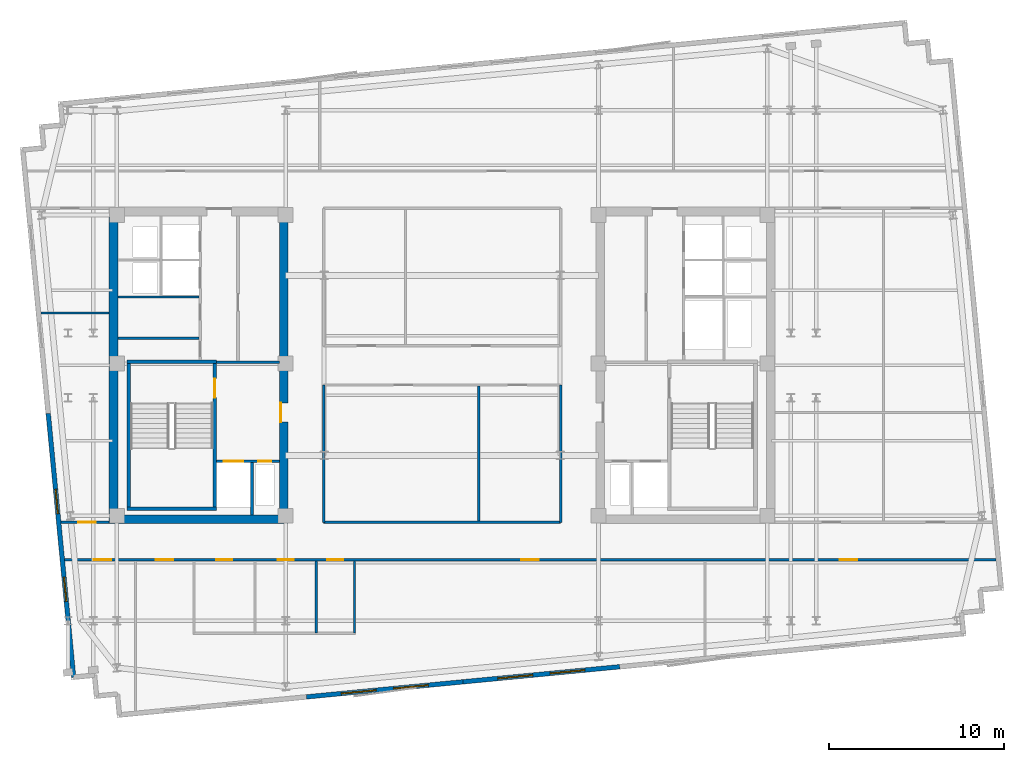
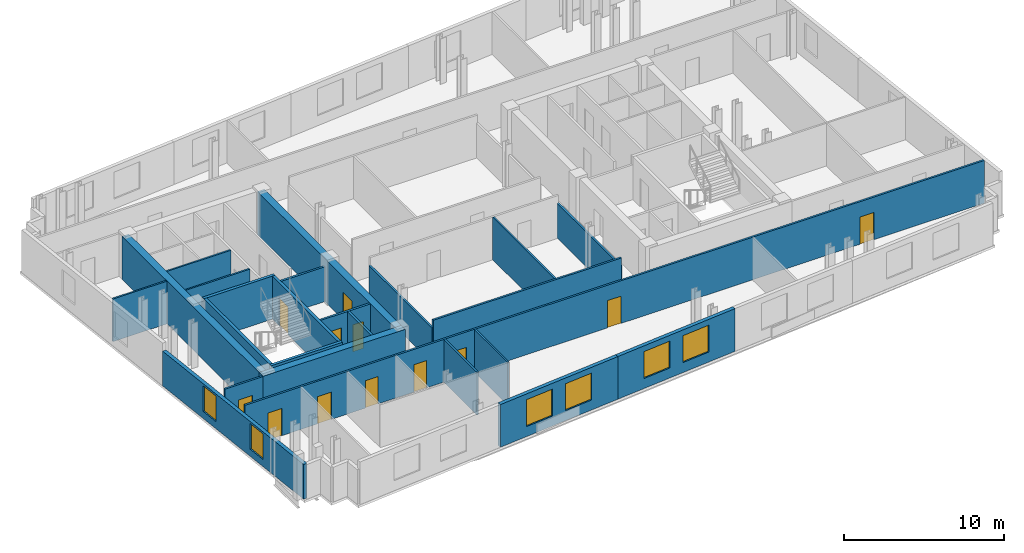
# One storey, part 3 of 8: 24 walls, 12 doors, 6 windows, 18 openings.
"""IFC4 building model written with IfcOpenShell, lengths in metres."""

from ifc_helpers import new_model, si_unit, direction, frame, frame_2d, origin, place, context, subcontext, project, spatial, rectangle, extrude, material, layer, layer_set, type_object, element, fill, save


model = new_model("IFC4")

# Units and contexts
model_context = context("Model", 3, precision=1e-05, world=origin(), true_north=direction((0.0, 1.0)))
body_context = subcontext(model_context, "Body", "Model", "MODEL_VIEW")
ifc_project = project(units=[si_unit("LENGTHUNIT", "METRE"), si_unit("AREAUNIT", "SQUARE_METRE"), si_unit("VOLUMEUNIT", "CUBIC_METRE"), si_unit("PLANEANGLEUNIT", "RADIAN"), si_unit("MASSUNIT", "GRAM", prefix="KILO")], contexts=[model_context])

# Site, building, storey
site_placement = place(None, origin())
site = spatial("IfcSite", under=ifc_project, at=site_placement, CompositionType="ELEMENT")
building_placement = place(site_placement, origin())
building = spatial("IfcBuilding", under=site, at=building_placement, Name="Velakula Bourse", CompositionType="ELEMENT")
storey_placement = place(building_placement, frame((0.0, 0.0, 258.60009765625)))
storey = spatial("IfcBuildingStorey", under=building, at=storey_placement, Name="L70", CompositionType="ELEMENT", Elevation=258.60009765625)

# Wall, opening, door
ifc_material_1 = material(Name="Concrete M50 (fck 50 MPa)", Category="concrete")
ifc_layer_1 = layer(ifc_material_1, 0.2099609375, Name="Concrete M50 (fck 50 MPa)", Category="concrete")
ifc_layer_set_1 = layer_set([ifc_layer_1], Name="Concrete M50 (fck 50 MPa)")
wall_type_1 = type_object("IfcWallType", Name="WL-CORE-210", PredefinedType="SHEAR", material=ifc_layer_set_1)
wall_1_placement = place(storey_placement, frame((-12.9951171875, -8.10009765625, 0.0), z_axis=(0.0, 0.0, 1.0), x_axis=(0.0, 1.0, 0.0)))
wall_1 = element("IfcWall", 1, at=wall_1_placement, inside=storey, type_object=wall_type_1, Name="L70 Core W Stairwell Shear Wall IN", PredefinedType="SHEAR", context=body_context, shape_type="SweptSolid", body=[
    extrude(rectangle(XDim=8.2001953125, YDim=0.2099609375, at=frame_2d((4.10009765625, 0.0))), origin(), (0.0, 0.0, 1.0), 3.27001953125),
])
opening_1_placement = place(wall_1_placement, frame((6.25, 0.0, 0.0)))
opening_1 = element("IfcOpeningElement", 2, at=opening_1_placement, cuts=wall_1, Name="Opening D-STW1", PredefinedType="OPENING", context=body_context, shape_type="SweptSolid", body=[
    extrude(rectangle(XDim=1.10009765625, YDim=2.14990234375, at=frame_2d((0.550048828125, 1.074951171875))), frame((0.0, 0.114990234375, 0.0), z_axis=(0.0, -1.0, 0.0), x_axis=(1.0, 0.0, 0.0)), (0.0, 0.0, 1.0), 0.22998046875),
])
ifc_material_2 = material(Name="Galvanised painted hollow steel fire door", Category="steel")
door_type_1 = type_object("IfcDoorType", Name="DR-FD120-1100x2150", OperationType="NOTDEFINED", PredefinedType="DOOR", material=ifc_material_2)
door_1_placement = place(opening_1_placement, origin())
door_1 = element("IfcDoor", 3, at=door_1_placement, inside=storey, type_object=door_type_1, Name="L70 Stair ST-W1 Fire Door", OperationType="SINGLE_SWING_LEFT", OverallHeight=2.14990234375, OverallWidth=1.10009765625, PredefinedType="DOOR", context=body_context, shape_type="SweptSolid", body=[
    extrude(rectangle(XDim=1.10009765625, YDim=2.14990234375, at=frame_2d((0.550048828125, 1.074951171875))), frame((0.0, 0.02490234375, 0.0), z_axis=(0.0, -1.0, 0.0), x_axis=(1.0, 0.0, 0.0)), (0.0, 0.0, 1.0), 0.050048828125),
])
fill(opening_1, door_1)

# Walls
wall_2_placement = place(storey_placement, frame((-17.925048828125, -8.10009765625, 0.0), z_axis=(0.0, 0.0, 1.0), x_axis=(0.0, 1.0, 0.0)))
element("IfcWall", 4, at=wall_2_placement, inside=storey, type_object=wall_type_1, Name="L70 Core W Stairwell Shear Wall OUT", PredefinedType="SHEAR", context=body_context, shape_type="SweptSolid", body=[
    extrude(rectangle(XDim=8.2001953125, YDim=0.2099609375, at=frame_2d((4.10009765625, 0.0))), origin(), (0.0, 0.0, 1.0), 3.27001953125),
])
for number, where, z_axis, x_axis, name in (
    (5, (-18.030029296875, -8.205078125, 0.0), (0.0, 0.0, 1.0), (1.0, 0.0, 0.0), "L70 Core W Stairwell Shear Wall S"),
    (6, (-12.889892578125, 0.205078125, 0.0), (0.0, 0.0, 1.0), (-1.0, 0.0, 0.0), "L70 Core W Stairwell Shear Wall N"),
):
    element("IfcWall", number, at=place(storey_placement, frame(where, z_axis=z_axis, x_axis=x_axis)), inside=storey, type_object=wall_type_1, Name=name, PredefinedType="SHEAR", context=body_context, shape_type="SweptSolid", body=[
        extrude(rectangle(XDim=5.14013671875, YDim=0.2099609375, at=frame_2d((2.570068359375, 0.0))), origin(), (0.0, 0.0, 1.0), 3.27001953125),
    ])
ifc_layer_2 = layer(ifc_material_1, 0.5, Name="Concrete M50 (fck 50 MPa)", Category="concrete")
ifc_layer_set_2 = layer_set([ifc_layer_2], Name="Concrete M50 (fck 50 MPa)")
wall_type_2 = type_object("IfcWallType", Name="WL-CORE-500", PredefinedType="SHEAR", material=ifc_layer_set_2)
wall_3_placement = place(storey_placement, frame((-19.050048828125, -8.800048828125, 0.0), z_axis=(0.0, 0.0, 1.0), x_axis=(1.0, 0.0, 0.0)))
element("IfcWall", 7, at=wall_3_placement, inside=storey, type_object=wall_type_2, Name="L70 Core W Shear Wall S", PredefinedType="SHEAR", context=body_context, shape_type="SweptSolid", body=[
    extrude(rectangle(XDim=10.25, YDim=0.5, at=frame_2d((5.125, 0.0))), origin(), (0.0, 0.0, 1.0), 3.27001953125),
])
wall_4_placement = place(storey_placement, frame((-18.800048828125, -8.550048828125, 0.0), z_axis=(0.0, 0.0, 1.0), x_axis=(0.0, 1.0, 0.0)))
element("IfcWall", 8, at=wall_4_placement, inside=storey, type_object=wall_type_2, Name="L70 Core W Shear Wall W", PredefinedType="SHEAR", context=body_context, shape_type="SweptSolid", body=[
    extrude(rectangle(XDim=17.10009765625, YDim=0.5, at=frame_2d((8.550048828125, 0.0))), origin(), (0.0, 0.0, 1.0), 3.27001953125),
])

# Wall, opening, door
wall_5_placement = place(storey_placement, frame((-9.050048828125, -8.550048828125, 0.0), z_axis=(0.0, 0.0, 1.0), x_axis=(0.0, 1.0, 0.0)))
wall_5 = element("IfcWall", 9, at=wall_5_placement, inside=storey, type_object=wall_type_2, Name="L70 Core W Shear Wall E", PredefinedType="SHEAR", context=body_context, shape_type="SweptSolid", body=[
    extrude(rectangle(XDim=17.10009765625, YDim=0.5, at=frame_2d((8.550048828125, 0.0))), origin(), (0.0, 0.0, 1.0), 3.27001953125),
])
opening_2_placement = place(wall_5_placement, frame((5.300048828125, 0.0, 0.0)))
opening_2 = element("IfcOpeningElement", 10, at=opening_2_placement, cuts=wall_5, Name="Opening D-FLW", PredefinedType="OPENING", context=body_context, shape_type="SweptSolid", body=[
    extrude(rectangle(XDim=1.10009765625, YDim=2.080078125, at=frame_2d((0.550048828125, 1.0400390625))), frame((0.0, 0.260009765625, 0.0), z_axis=(0.0, -1.0, 0.0), x_axis=(1.0, 0.0, 0.0)), (0.0, 0.0, 1.0), 0.52001953125),
])
door_type_2 = type_object("IfcDoorType", Name="DR-FD120-1100", OperationType="NOTDEFINED", PredefinedType="DOOR", material=ifc_material_2)
door_2_placement = place(opening_2_placement, origin())
door_2 = element("IfcDoor", 11, at=door_2_placement, inside=storey, type_object=door_type_2, Name="L70 Firefighting Lobby W Corridor Fire Door", OperationType="SINGLE_SWING_LEFT", OverallHeight=2.080078125, OverallWidth=1.10009765625, PredefinedType="DOOR", context=body_context, shape_type="SweptSolid", body=[
    extrude(rectangle(XDim=1.10009765625, YDim=2.080078125, at=frame_2d((0.550048828125, 1.0400390625))), frame((0.0, 0.205078125, 0.0), z_axis=(0.0, -1.0, 0.0), x_axis=(1.0, 0.0, 0.0)), (0.0, 0.0, 1.0), 0.050048828125),
])
fill(opening_2, door_2)

# Wall, openings, windows
ifc_material_3 = material(Name="Buff kilned clay facing brick masonry", Category="masonry")
ifc_layer_3 = layer(ifc_material_3, 0.260009765625, Name="Buff kilned clay facing brick masonry", Category="masonry")
ifc_layer_set_3 = layer_set([ifc_layer_3], Name="Buff kilned clay facing brick masonry")
wall_type_3 = type_object("IfcWallType", Name="WL-EXT-BRK-260", PredefinedType="STANDARD", material=ifc_layer_set_3)
wall_6_placement = place(storey_placement, frame((1.202880859375, -18.1005859375, 0.0), z_axis=(0.0, 0.0, 1.0), x_axis=(-0.995397043619, -0.095836973841, 0.0)))
wall_6 = element("IfcWall", 12, at=wall_6_placement, inside=storey, type_object=wall_type_3, Name="L70 S Brick Spandrel Wall B2", PredefinedType="STANDARD", context=body_context, shape_type="SweptSolid", body=[
    extrude(rectangle(XDim=9.000244140625, YDim=0.260009765625, at=frame_2d((4.5, 0.0))), origin(), (0.0, 0.0, 1.0), 3.25),
])
opening_3_placement = place(wall_6_placement, frame((2.0, 0.0, 0.760009765625)))
opening_3 = element("IfcOpeningElement", 13, at=opening_3_placement, cuts=wall_6, Name="Opening W-05", PredefinedType="OPENING", context=body_context, shape_type="SweptSolid", body=[
    extrude(rectangle(XDim=2.0, YDim=2.050048828125, at=frame_2d((1.0, 1.02490234375))), frame((0.0, 0.139892578125, 0.0), z_axis=(0.0, -1.0, 0.0), x_axis=(1.0, 0.0, 0.0)), (0.0, 0.0, 1.0), 0.280029296875),
])
opening_4_placement = place(wall_6_placement, frame((5.0, 0.0, 0.760009765625)))
opening_4 = element("IfcOpeningElement", 14, at=opening_4_placement, cuts=wall_6, Name="Opening W-05", PredefinedType="OPENING", context=body_context, shape_type="SweptSolid", body=[
    extrude(rectangle(XDim=2.0, YDim=2.050048828125, at=frame_2d((1.0, 1.02490234375))), frame((0.0, 0.139892578125, 0.0), z_axis=(0.0, -1.0, 0.0), x_axis=(1.0, 0.0, 0.0)), (0.0, 0.0, 1.0), 0.280029296875),
])
ifc_material_4 = material(Name="Double-glazed solar-control Low-E glass", Category="glass")
window_type_1 = type_object("IfcWindowType", Name="WIN-TWR-2000x2200", PartitioningType="DOUBLE_PANEL_VERTICAL", PredefinedType="WINDOW", material=ifc_material_4)
window_1_placement = place(opening_3_placement, origin())
window_1 = element("IfcWindow", 15, at=window_1_placement, inside=storey, type_object=window_type_1, Name="L70 Deep-Set Recessed Window 1", OverallHeight=2.050048828125, OverallWidth=2.0, PartitioningType="DOUBLE_PANEL_VERTICAL", PredefinedType="WINDOW", context=body_context, shape_type="SweptSolid", body=[
    extrude(rectangle(XDim=2.0, YDim=2.050048828125, at=frame_2d((1.0, 1.02490234375))), frame((0.0, 0.030029296875, 0.0), z_axis=(0.0, -1.0, 0.0), x_axis=(1.0, 0.0, 0.0)), (0.0, 0.0, 1.0), 0.06005859375),
])
fill(opening_3, window_1)
window_2_placement = place(opening_4_placement, origin())
window_2 = element("IfcWindow", 16, at=window_2_placement, inside=storey, type_object=window_type_1, Name="L70 Deep-Set Recessed Window 2", OverallHeight=2.050048828125, OverallWidth=2.0, PartitioningType="DOUBLE_PANEL_VERTICAL", PredefinedType="WINDOW", context=body_context, shape_type="SweptSolid", body=[
    extrude(rectangle(XDim=2.0, YDim=2.050048828125, at=frame_2d((1.0, 1.02490234375))), frame((0.0, 0.030029296875, 0.0), z_axis=(0.0, -1.0, 0.0), x_axis=(1.0, 0.0, 0.0)), (0.0, 0.0, 1.0), 0.06005859375),
])
fill(opening_4, window_2)

wall_7_placement = place(storey_placement, frame((10.161376953125, -17.23779296875, 0.0), z_axis=(0.0, 0.0, 1.0), x_axis=(-0.995394206237, -0.095866439332, 0.0)))
wall_7 = element("IfcWall", 17, at=wall_7_placement, inside=storey, type_object=wall_type_3, Name="L70 S Brick Spandrel Wall B3", PredefinedType="STANDARD", context=body_context, shape_type="SweptSolid", body=[
    extrude(rectangle(XDim=9.0, YDim=0.260009765625, at=frame_2d((4.5, 0.0))), origin(), (0.0, 0.0, 1.0), 3.25),
])
opening_5_placement = place(wall_7_placement, frame((2.0, 0.0, 0.760009765625)))
opening_5 = element("IfcOpeningElement", 18, at=opening_5_placement, cuts=wall_7, Name="Opening W-05", PredefinedType="OPENING", context=body_context, shape_type="SweptSolid", body=[
    extrude(rectangle(XDim=2.0, YDim=2.050048828125, at=frame_2d((1.0, 1.02490234375))), frame((0.0, 0.139892578125, 0.0), z_axis=(0.0, -1.0, 0.0), x_axis=(1.0, 0.0, 0.0)), (0.0, 0.0, 1.0), 0.280029296875),
])
opening_6_placement = place(wall_7_placement, frame((5.0, 0.0, 0.760009765625)))
opening_6 = element("IfcOpeningElement", 19, at=opening_6_placement, cuts=wall_7, Name="Opening W-05", PredefinedType="OPENING", context=body_context, shape_type="SweptSolid", body=[
    extrude(rectangle(XDim=2.0, YDim=2.050048828125, at=frame_2d((1.0, 1.02490234375))), frame((0.0, 0.139892578125, 0.0), z_axis=(0.0, -1.0, 0.0), x_axis=(1.0, 0.0, 0.0)), (0.0, 0.0, 1.0), 0.280029296875),
])
window_3_placement = place(opening_5_placement, origin())
window_3 = element("IfcWindow", 20, at=window_3_placement, inside=storey, type_object=window_type_1, Name="L70 Deep-Set Recessed Window 1", OverallHeight=2.050048828125, OverallWidth=2.0, PartitioningType="DOUBLE_PANEL_VERTICAL", PredefinedType="WINDOW", context=body_context, shape_type="SweptSolid", body=[
    extrude(rectangle(XDim=2.0, YDim=2.050048828125, at=frame_2d((1.0, 1.02490234375))), frame((0.0, 0.030029296875, 0.0), z_axis=(0.0, -1.0, 0.0), x_axis=(1.0, 0.0, 0.0)), (0.0, 0.0, 1.0), 0.06005859375),
])
fill(opening_5, window_3)
window_4_placement = place(opening_6_placement, origin())
window_4 = element("IfcWindow", 21, at=window_4_placement, inside=storey, type_object=window_type_1, Name="L70 Deep-Set Recessed Window 2", OverallHeight=2.050048828125, OverallWidth=2.0, PartitioningType="DOUBLE_PANEL_VERTICAL", PredefinedType="WINDOW", context=body_context, shape_type="SweptSolid", body=[
    extrude(rectangle(XDim=2.0, YDim=2.050048828125, at=frame_2d((1.0, 1.02490234375))), frame((0.0, 0.030029296875, 0.0), z_axis=(0.0, -1.0, 0.0), x_axis=(1.0, 0.0, 0.0)), (0.0, 0.0, 1.0), 0.06005859375),
])
fill(opening_6, window_4)

wall_8_placement = place(storey_placement, frame((-21.0751953125, -17.83447265625, 0.0), z_axis=(0.0, 0.0, 1.0), x_axis=(-0.095852427869, 0.995395555582, 0.0)))
wall_8 = element("IfcWall", 22, at=wall_8_placement, inside=storey, type_object=wall_type_3, Name="L70 W Brick End Wall W1", PredefinedType="STANDARD", context=body_context, shape_type="SweptSolid", body=[
    extrude(rectangle(XDim=15.14990234375, YDim=0.260009765625, at=frame_2d((7.574951171875, 0.0))), origin(), (0.0, 0.0, 1.0), 2.64501953125),
])
opening_7_placement = place(wall_8_placement, frame((4.35009765625, 0.0, 0.534912109375)))
opening_7 = element("IfcOpeningElement", 23, at=opening_7_placement, cuts=wall_8, Name="Opening W-03", PredefinedType="OPENING", context=body_context, shape_type="SweptSolid", body=[
    extrude(rectangle(XDim=1.39990234375, YDim=1.949951171875, at=frame_2d((0.699951171875, 0.97509765625))), frame((0.0, 0.139892578125, 0.0), z_axis=(0.0, -1.0, 0.0), x_axis=(1.0, 0.0, 0.0)), (0.0, 0.0, 1.0), 0.280029296875),
])
opening_8_placement = place(wall_8_placement, frame((9.39990234375, 0.0, 0.534912109375)))
opening_8 = element("IfcOpeningElement", 24, at=opening_8_placement, cuts=wall_8, Name="Opening W-03", PredefinedType="OPENING", context=body_context, shape_type="SweptSolid", body=[
    extrude(rectangle(XDim=1.39990234375, YDim=1.949951171875, at=frame_2d((0.699951171875, 0.97509765625))), frame((0.0, 0.139892578125, 0.0), z_axis=(0.0, -1.0, 0.0), x_axis=(1.0, 0.0, 0.0)), (0.0, 0.0, 1.0), 0.280029296875),
])
window_type_2 = type_object("IfcWindowType", Name="WIN-TWR-1400x2100", PartitioningType="SINGLE_PANEL", PredefinedType="WINDOW", material=ifc_material_4)
window_5_placement = place(opening_7_placement, origin())
window_5 = element("IfcWindow", 25, at=window_5_placement, inside=storey, type_object=window_type_2, Name="L70 Deep-Set Recessed Window 1", OverallHeight=1.949951171875, OverallWidth=1.39990234375, PartitioningType="SINGLE_PANEL", PredefinedType="WINDOW", context=body_context, shape_type="SweptSolid", body=[
    extrude(rectangle(XDim=1.39990234375, YDim=1.949951171875, at=frame_2d((0.699951171875, 0.97509765625))), frame((0.0, 0.030029296875, 0.0), z_axis=(0.0, -1.0, 0.0), x_axis=(1.0, 0.0, 0.0)), (0.0, 0.0, 1.0), 0.06005859375),
])
fill(opening_7, window_5)
window_6_placement = place(opening_8_placement, origin())
window_6 = element("IfcWindow", 26, at=window_6_placement, inside=storey, type_object=window_type_2, Name="L70 Deep-Set Recessed Window 2", OverallHeight=1.949951171875, OverallWidth=1.39990234375, PartitioningType="SINGLE_PANEL", PredefinedType="WINDOW", context=body_context, shape_type="SweptSolid", body=[
    extrude(rectangle(XDim=1.39990234375, YDim=1.949951171875, at=frame_2d((0.699951171875, 0.97509765625))), frame((0.0, 0.030029296875, 0.0), z_axis=(0.0, -1.0, 0.0), x_axis=(1.0, 0.0, 0.0)), (0.0, 0.0, 1.0), 0.06005859375),
])
fill(opening_8, window_6)

# Walls
ifc_material_5 = material(Name="Fire-rated double-layer gypsum drywall partition", Category="gypsum")
ifc_layer_4 = layer(ifc_material_5, 0.1201171875, Name="Fire-rated double-layer gypsum drywall partition", Category="gypsum")
ifc_layer_set_4 = layer_set([ifc_layer_4], Name="Fire-rated double-layer gypsum drywall partition")
wall_type_4 = type_object("IfcWallType", Name="WL-PART-120", PredefinedType="STANDARD", material=ifc_layer_set_4)
for number, where, z_axis, x_axis, name in (
    (27, (-18.550048828125, 3.919921875, 0.0), (0.0, 0.0, 1.0), (1.0, 0.0, 0.0), "L70 Interior Partition WL-CRW-L70-HI-S"),
    (28, (-18.550048828125, 1.550048828125, 0.0), (0.0, 0.0, 1.0), (1.0, 0.0, 0.0), "L70 Interior Partition WL-CRW-L70-K1"),
):
    element("IfcWall", number, at=place(storey_placement, frame(where, z_axis=z_axis, x_axis=x_axis)), inside=storey, type_object=wall_type_4, Name=name, PredefinedType="STANDARD", context=body_context, shape_type="SweptSolid", body=[
        extrude(rectangle(XDim=4.650146484375, YDim=0.1201171875, at=frame_2d((2.3251953125, 0.0))), origin(), (0.0, 0.0, 1.0), 3.25),
    ])
for number, where, z_axis, x_axis, name in (
    (29, (-7.199951171875, -15.320068359375, 0.0), (0.0, 0.0, 1.0), (0.0, 1.0, 0.0), "L70 Interior Partition WL-WC-L70-V3"),
    (30, (-5.0, -15.320068359375, 0.0), (0.0, 0.0, 1.0), (0.0, 1.0, 0.0), "L70 Interior Partition WL-WC-L70-V4"),
):
    element("IfcWall", number, at=place(storey_placement, frame(where, z_axis=z_axis, x_axis=x_axis)), inside=storey, type_object=wall_type_4, Name=name, PredefinedType="STANDARD", context=body_context, shape_type="SweptSolid", body=[
        extrude(rectangle(XDim=4.130126953125, YDim=0.1201171875, at=frame_2d((2.06494140625, 0.0))), origin(), (0.0, 0.0, 1.0), 3.25),
    ])
wall_9_placement = place(storey_placement, frame((-22.95068359375, 3.0, 0.0), z_axis=(0.0, 0.0, 1.0), x_axis=(1.0, 0.0, 0.0)))
element("IfcWall", 31, at=wall_9_placement, inside=storey, type_object=wall_type_4, Name="L70 Interior Partition WL-INT-L70-W-H", PredefinedType="STANDARD", context=body_context, shape_type="SweptSolid", body=[
    extrude(rectangle(XDim=3.900634765625, YDim=0.1201171875, at=frame_2d((1.9501953125, 0.0))), origin(), (0.0, 0.0, 1.0), 3.25),
])

# Wall, openings, doors
ifc_layer_5 = layer(ifc_material_5, 0.139892578125, Name="Fire-rated double-layer gypsum drywall partition", Category="gypsum")
ifc_layer_set_5 = layer_set([ifc_layer_5], Name="Fire-rated double-layer gypsum drywall partition")
wall_type_5 = type_object("IfcWallType", Name="WL-PART-140", PredefinedType="STANDARD", material=ifc_layer_set_5)
wall_10_placement = place(storey_placement, frame((-21.59130859375, -11.1201171875, 0.0), z_axis=(0.0, 0.0, 1.0), x_axis=(1.0, 0.0, 0.0)))
wall_10 = element("IfcWall", 32, at=wall_10_placement, inside=storey, type_object=wall_type_5, Name="L70 Interior Partition WL-INT-L70-S-CORR", PredefinedType="STANDARD", context=body_context, shape_type="SweptSolid", body=[
    extrude(rectangle(XDim=53.285400390625, YDim=0.139892578125, at=frame_2d((26.642578125, 0.0))), origin(), (0.0, 0.0, 1.0), 3.25),
])
opening_9_placement = place(wall_10_placement, frame((8.68115234375, 0.0, 0.0)))
opening_9 = element("IfcOpeningElement", 33, at=opening_9_placement, cuts=wall_10, Name="Opening D-WT1", PredefinedType="OPENING", context=body_context, shape_type="SweptSolid", body=[
    extrude(rectangle(XDim=0.919921875, YDim=2.080078125, at=frame_2d((0.4599609375, 1.0400390625))), frame((0.0, 0.079833984375, 0.0), z_axis=(0.0, -1.0, 0.0), x_axis=(1.0, 0.0, 0.0)), (0.0, 0.0, 1.0), 0.159912109375),
])
opening_10_placement = place(wall_10_placement, frame((12.18115234375, 0.0, 0.0)))
opening_10 = element("IfcOpeningElement", 34, at=opening_10_placement, cuts=wall_10, Name="Opening D-WT1", PredefinedType="OPENING", context=body_context, shape_type="SweptSolid", body=[
    extrude(rectangle(XDim=0.919921875, YDim=2.080078125, at=frame_2d((0.4599609375, 1.0400390625))), frame((0.0, 0.079833984375, 0.0), z_axis=(0.0, -1.0, 0.0), x_axis=(1.0, 0.0, 0.0)), (0.0, 0.0, 1.0), 0.159912109375),
])
opening_11_placement = place(wall_10_placement, frame((15.03125, 0.0, 0.0)))
opening_11 = element("IfcOpeningElement", 35, at=opening_11_placement, cuts=wall_10, Name="Opening D-WC1", PredefinedType="OPENING", context=body_context, shape_type="SweptSolid", body=[
    extrude(rectangle(XDim=0.919921875, YDim=2.080078125, at=frame_2d((0.4599609375, 1.0400390625))), frame((0.0, 0.079833984375, 0.0), z_axis=(0.0, -1.0, 0.0), x_axis=(1.0, 0.0, 0.0)), (0.0, 0.0, 1.0), 0.159912109375),
])
opening_12_placement = place(wall_10_placement, frame((1.655517578125, 0.0, 0.0)))
opening_12 = element("IfcOpeningElement", 36, at=opening_12_placement, cuts=wall_10, Name="Opening D-OF1", PredefinedType="OPENING", context=body_context, shape_type="SweptSolid", body=[
    extrude(rectangle(XDim=1.0, YDim=2.080078125, at=frame_2d((0.5, 1.0400390625))), frame((0.0, 0.079833984375, 0.0), z_axis=(0.0, -1.0, 0.0), x_axis=(1.0, 0.0, 0.0)), (0.0, 0.0, 1.0), 0.159912109375),
])
opening_13_placement = place(wall_10_placement, frame((5.22509765625, 0.0, 0.0)))
opening_13 = element("IfcOpeningElement", 37, at=opening_13_placement, cuts=wall_10, Name="Opening D-OF1", PredefinedType="OPENING", context=body_context, shape_type="SweptSolid", body=[
    extrude(rectangle(XDim=1.0, YDim=2.080078125, at=frame_2d((0.5, 1.0400390625))), frame((0.0, 0.079833984375, 0.0), z_axis=(0.0, -1.0, 0.0), x_axis=(1.0, 0.0, 0.0)), (0.0, 0.0, 1.0), 0.159912109375),
])
opening_14_placement = place(wall_10_placement, frame((26.11181640625, 0.0, 0.0)))
opening_14 = element("IfcOpeningElement", 38, at=opening_14_placement, cuts=wall_10, Name="Opening D-OF1", PredefinedType="OPENING", context=body_context, shape_type="SweptSolid", body=[
    extrude(rectangle(XDim=1.0, YDim=2.080078125, at=frame_2d((0.5, 1.0400390625))), frame((0.0, 0.079833984375, 0.0), z_axis=(0.0, -1.0, 0.0), x_axis=(1.0, 0.0, 0.0)), (0.0, 0.0, 1.0), 0.159912109375),
])
opening_15_placement = place(wall_10_placement, frame((44.332763671875, 0.0, 0.0)))
opening_15 = element("IfcOpeningElement", 39, at=opening_15_placement, cuts=wall_10, Name="Opening D-OF1", PredefinedType="OPENING", context=body_context, shape_type="SweptSolid", body=[
    extrude(rectangle(XDim=1.0, YDim=2.080078125, at=frame_2d((0.5, 1.0400390625))), frame((0.0, 0.079833984375, 0.0), z_axis=(0.0, -1.0, 0.0), x_axis=(1.0, 0.0, 0.0)), (0.0, 0.0, 1.0), 0.159912109375),
])
ifc_material_6 = material(Name="Fire-rated hardwood flush architectural door", Category="wood")
door_type_3 = type_object("IfcDoorType", Name="DR-OFF-1000", OperationType="NOTDEFINED", PredefinedType="DOOR", material=ifc_material_6)
door_3_placement = place(opening_12_placement, origin())
door_3 = element("IfcDoor", 40, at=door_3_placement, inside=storey, type_object=door_type_3, Name="L70 Economic Reference Library Door", OperationType="SINGLE_SWING_LEFT", OverallHeight=2.080078125, OverallWidth=1.0, PredefinedType="DOOR", context=body_context, shape_type="SweptSolid", body=[
    extrude(rectangle(XDim=1.0, YDim=2.080078125, at=frame_2d((0.5, 1.0400390625))), frame((0.0, 0.02490234375, 0.0), z_axis=(0.0, -1.0, 0.0), x_axis=(1.0, 0.0, 0.0)), (0.0, 0.0, 1.0), 0.050048828125),
])
fill(opening_12, door_3)
door_4_placement = place(opening_13_placement, origin())
door_4 = element("IfcDoor", 41, at=door_4_placement, inside=storey, type_object=door_type_3, Name="L70 Legal Counsel Office Door", OperationType="SINGLE_SWING_RIGHT", OverallHeight=2.080078125, OverallWidth=1.0, PredefinedType="DOOR", context=body_context, shape_type="SweptSolid", body=[
    extrude(rectangle(XDim=1.0, YDim=2.080078125, at=frame_2d((0.5, 1.0400390625))), frame((0.0, 0.02490234375, 0.0), z_axis=(0.0, -1.0, 0.0), x_axis=(1.0, 0.0, 0.0)), (0.0, 0.0, 1.0), 0.050048828125),
])
fill(opening_13, door_4)
door_5_placement = place(opening_14_placement, origin())
door_5 = element("IfcDoor", 42, at=door_5_placement, inside=storey, type_object=door_type_3, Name="L70 Risk Review Boardroom Door", OperationType="SINGLE_SWING_LEFT", OverallHeight=2.080078125, OverallWidth=1.0, PredefinedType="DOOR", context=body_context, shape_type="SweptSolid", body=[
    extrude(rectangle(XDim=1.0, YDim=2.080078125, at=frame_2d((0.5, 1.0400390625))), frame((0.0, 0.02490234375, 0.0), z_axis=(0.0, -1.0, 0.0), x_axis=(1.0, 0.0, 0.0)), (0.0, 0.0, 1.0), 0.050048828125),
])
fill(opening_14, door_5)
door_6_placement = place(opening_15_placement, origin())
door_6 = element("IfcDoor", 43, at=door_6_placement, inside=storey, type_object=door_type_3, Name="L70 Catering Servery Pantry Door", OperationType="SINGLE_SWING_RIGHT", OverallHeight=2.080078125, OverallWidth=1.0, PredefinedType="DOOR", context=body_context, shape_type="SweptSolid", body=[
    extrude(rectangle(XDim=1.0, YDim=2.080078125, at=frame_2d((0.5, 1.0400390625))), frame((0.0, 0.02490234375, 0.0), z_axis=(0.0, -1.0, 0.0), x_axis=(1.0, 0.0, 0.0)), (0.0, 0.0, 1.0), 0.050048828125),
])
fill(opening_15, door_6)
door_type_4 = type_object("IfcDoorType", Name="DR-WC-950", OperationType="NOTDEFINED", PredefinedType="DOOR", material=ifc_material_6)
door_7_placement = place(opening_9_placement, origin())
door_7 = element("IfcDoor", 44, at=door_7_placement, inside=storey, type_object=door_type_4, Name="L70 Male Staff Toilet Door", OperationType="SINGLE_SWING_RIGHT", OverallHeight=2.080078125, OverallWidth=0.919921875, PredefinedType="DOOR", context=body_context, shape_type="SweptSolid", body=[
    extrude(rectangle(XDim=0.919921875, YDim=2.080078125, at=frame_2d((0.4599609375, 1.0400390625))), frame((0.0, 0.02490234375, 0.0), z_axis=(0.0, -1.0, 0.0), x_axis=(1.0, 0.0, 0.0)), (0.0, 0.0, 1.0), 0.050048828125),
])
fill(opening_9, door_7)
door_8_placement = place(opening_10_placement, origin())
door_8 = element("IfcDoor", 45, at=door_8_placement, inside=storey, type_object=door_type_4, Name="L70 Female Staff Toilet Door", OperationType="SINGLE_SWING_LEFT", OverallHeight=2.080078125, OverallWidth=0.919921875, PredefinedType="DOOR", context=body_context, shape_type="SweptSolid", body=[
    extrude(rectangle(XDim=0.919921875, YDim=2.080078125, at=frame_2d((0.4599609375, 1.0400390625))), frame((0.0, 0.02490234375, 0.0), z_axis=(0.0, -1.0, 0.0), x_axis=(1.0, 0.0, 0.0)), (0.0, 0.0, 1.0), 0.050048828125),
])
fill(opening_10, door_8)
door_9_placement = place(opening_11_placement, origin())
door_9 = element("IfcDoor", 46, at=door_9_placement, inside=storey, type_object=door_type_4, Name="L70 Accessible WC Door", OperationType="SINGLE_SWING_RIGHT", OverallHeight=2.080078125, OverallWidth=0.919921875, PredefinedType="DOOR", context=body_context, shape_type="SweptSolid", body=[
    extrude(rectangle(XDim=0.919921875, YDim=2.080078125, at=frame_2d((0.4599609375, 1.0400390625))), frame((0.0, 0.02490234375, 0.0), z_axis=(0.0, -1.0, 0.0), x_axis=(1.0, 0.0, 0.0)), (0.0, 0.0, 1.0), 0.050048828125),
])
fill(opening_11, door_9)

# Wall, opening, door
wall_11_placement = place(storey_placement, frame((-21.797119140625, -8.97998046875, 0.0), z_axis=(0.0, 0.0, 1.0), x_axis=(1.0, 0.0, 0.0)))
wall_11 = element("IfcWall", 47, at=wall_11_placement, inside=storey, type_object=wall_type_5, Name="L70 Interior Partition WL-INT-L70-W-SC", PredefinedType="STANDARD", context=body_context, shape_type="SweptSolid", body=[
    extrude(rectangle(XDim=2.7470703125, YDim=0.139892578125, at=frame_2d((1.37353515625, 0.0))), origin(), (0.0, 0.0, 1.0), 3.25),
])
opening_16_placement = place(wall_11_placement, frame((0.984375, 0.0, 0.0)))
opening_16 = element("IfcOpeningElement", 48, at=opening_16_placement, cuts=wall_11, Name="Opening D-OF1", PredefinedType="OPENING", context=body_context, shape_type="SweptSolid", body=[
    extrude(rectangle(XDim=1.0, YDim=2.080078125, at=frame_2d((0.5, 1.0400390625))), frame((0.0, 0.079833984375, 0.0), z_axis=(0.0, -1.0, 0.0), x_axis=(1.0, 0.0, 0.0)), (0.0, 0.0, 1.0), 0.159912109375),
])
door_10_placement = place(opening_16_placement, origin())
door_10 = element("IfcDoor", 49, at=door_10_placement, inside=storey, type_object=door_type_3, Name="L70 Sovereign Wealth Desk Workspace Door", OperationType="SINGLE_SWING_RIGHT", OverallHeight=2.080078125, OverallWidth=1.0, PredefinedType="DOOR", context=body_context, shape_type="SweptSolid", body=[
    extrude(rectangle(XDim=1.0, YDim=2.080078125, at=frame_2d((0.5, 1.0400390625))), frame((0.0, 0.02490234375, 0.0), z_axis=(0.0, -1.0, 0.0), x_axis=(1.0, 0.0, 0.0)), (0.0, 0.0, 1.0), 0.050048828125),
])
fill(opening_16, door_10)

# Walls
wall_12_placement = place(storey_placement, frame((-6.780029296875, -8.97998046875, 0.0), z_axis=(0.0, 0.0, 1.0), x_axis=(1.0, 0.0, 0.0)))
element("IfcWall", 50, at=wall_12_placement, inside=storey, type_object=wall_type_5, Name="L70 Interior Partition WL-INT-L70-MS-OUT", PredefinedType="STANDARD", context=body_context, shape_type="SweptSolid", body=[
    extrude(rectangle(XDim=13.56005859375, YDim=0.139892578125, at=frame_2d((6.780029296875, 0.0))), origin(), (0.0, 0.0, 1.0), 3.25),
])
for number, where, z_axis, x_axis, name in (
    (51, (-6.780029296875, -8.97998046875, 0.0), (0.0, 0.0, 1.0), (0.0, 1.0, 0.0), "L70 Interior Partition WL-INT-L70-MS-W"),
    (52, (6.780029296875, -8.97998046875, 0.0), (0.0, 0.0, 1.0), (0.0, 1.0, 0.0), "L70 Interior Partition WL-INT-L70-MS-E"),
):
    element("IfcWall", number, at=place(storey_placement, frame(where, z_axis=z_axis, x_axis=x_axis)), inside=storey, type_object=wall_type_5, Name=name, PredefinedType="STANDARD", context=body_context, shape_type="SweptSolid", body=[
        extrude(rectangle(XDim=7.85986328125, YDim=0.139892578125, at=frame_2d((3.929931640625, 0.0))), origin(), (0.0, 0.0, 1.0), 2.64501953125),
    ])
wall_13_placement = place(storey_placement, frame((2.10009765625, -8.909912109375, 0.0), z_axis=(0.0, 0.0, 1.0), x_axis=(0.0, 1.0, 0.0)))
element("IfcWall", 53, at=wall_13_placement, inside=storey, type_object=wall_type_5, Name="L70 Interior Partition WL-INT-L70-MS-V1", PredefinedType="STANDARD", context=body_context, shape_type="SweptSolid", body=[
    extrude(rectangle(XDim=7.719970703125, YDim=0.1201171875, at=frame_2d((3.85986328125, 0.0))), origin(), (0.0, 0.0, 1.0), 3.25),
])

# Wall, openings, doors
ifc_material_7 = material(Name="Autoclaved aerated concrete blockwork masonry", Category="masonry")
ifc_layer_6 = layer(ifc_material_7, 0.14990234375, Name="Autoclaved aerated concrete blockwork masonry", Category="masonry")
ifc_layer_set_6 = layer_set([ifc_layer_6], Name="Autoclaved aerated concrete blockwork masonry")
wall_type_6 = type_object("IfcWallType", Name="WL-SHAFT-150", PredefinedType="STANDARD", material=ifc_layer_set_6)
wall_14_placement = place(storey_placement, frame((-12.89501953125, -5.47509765625, 0.0), z_axis=(0.0, 0.0, 1.0), x_axis=(1.0, 0.0, 0.0)))
wall_14 = element("IfcWall", 54, at=wall_14_placement, inside=storey, type_object=wall_type_6, Name="L70 Interior Partition WL-CRW-L70-FFL-N", PredefinedType="STANDARD", context=body_context, shape_type="SweptSolid", body=[
    extrude(rectangle(XDim=3.594970703125, YDim=0.14990234375, at=frame_2d((1.79736328125, 0.0))), origin(), (0.0, 0.0, 1.0), 3.25),
])
opening_17_placement = place(wall_14_placement, frame((0.419921875, 0.0, 0.0)))
opening_17 = element("IfcOpeningElement", 55, at=opening_17_placement, cuts=wall_14, Name="Opening LD-FFL-1", PredefinedType="OPENING", context=body_context, shape_type="SweptSolid", body=[
    extrude(rectangle(XDim=1.10009765625, YDim=2.14990234375, at=frame_2d((0.550048828125, 1.074951171875))), frame((0.0, 0.0849609375, 0.0), z_axis=(0.0, -1.0, 0.0), x_axis=(1.0, 0.0, 0.0)), (0.0, 0.0, 1.0), 0.169921875),
])
opening_18_placement = place(wall_14_placement, frame((2.3701171875, 0.0, 0.0)))
opening_18 = element("IfcOpeningElement", 56, at=opening_18_placement, cuts=wall_14, Name="Opening D-RS1", PredefinedType="OPENING", context=body_context, shape_type="SweptSolid", body=[
    extrude(rectangle(XDim=0.75, YDim=2.050048828125, at=frame_2d((0.375, 1.02490234375))), frame((0.0, 0.0849609375, 0.0), z_axis=(0.0, -1.0, 0.0), x_axis=(1.0, 0.0, 0.0)), (0.0, 0.0, 1.0), 0.169921875),
])
door_type_5 = type_object("IfcDoorType", Name="DR-RISER-800", OperationType="NOTDEFINED", PredefinedType="DOOR", material=ifc_material_2)
door_11_placement = place(opening_18_placement, origin())
door_11 = element("IfcDoor", 57, at=door_11_placement, inside=storey, type_object=door_type_5, Name="L70 Fire Riser Access Door", OperationType="SINGLE_SWING_RIGHT", OverallHeight=2.050048828125, OverallWidth=0.75, PredefinedType="DOOR", context=body_context, shape_type="SweptSolid", body=[
    extrude(rectangle(XDim=0.75, YDim=2.050048828125, at=frame_2d((0.375, 1.02490234375))), frame((0.0, 0.02490234375, 0.0), z_axis=(0.0, -1.0, 0.0), x_axis=(1.0, 0.0, 0.0)), (0.0, 0.0, 1.0), 0.050048828125),
])
fill(opening_18, door_11)
ifc_material_8 = material(Name="Brushed grade 316 stainless steel", Category="steel")
door_type_6 = type_object("IfcDoorType", Name="DR-SLIDE-FFL-1100", OperationType="DOUBLE_DOOR_SLIDING", PredefinedType="DOOR", material=ifc_material_8)
door_12_placement = place(opening_17_placement, origin())
door_12 = element("IfcDoor", 58, at=door_12_placement, inside=storey, type_object=door_type_6, Name="L70 Firefighting Lift FFL-1 Sliding Landing Door", OperationType="DOUBLE_DOOR_SLIDING", OverallHeight=2.14990234375, OverallWidth=1.10009765625, PredefinedType="DOOR", context=body_context, shape_type="SweptSolid", body=[
    extrude(rectangle(XDim=1.10009765625, YDim=2.14990234375, at=frame_2d((0.550048828125, 1.074951171875))), frame((0.0, 0.02490234375, 0.0), z_axis=(0.0, -1.0, 0.0), x_axis=(1.0, 0.0, 0.0)), (0.0, 0.0, 1.0), 0.050048828125),
])
fill(opening_17, door_12)

# Walls
wall_15_placement = place(storey_placement, frame((-10.875, -8.550048828125, 0.0), z_axis=(0.0, 0.0, 1.0), x_axis=(0.0, 1.0, 0.0)))
element("IfcWall", 59, at=wall_15_placement, inside=storey, type_object=wall_type_6, Name="L70 Interior Partition WL-CRW-L70-FR-DIV", PredefinedType="STANDARD", context=body_context, shape_type="SweptSolid", body=[
    extrude(rectangle(XDim=3.0, YDim=0.14990234375, at=frame_2d((1.5, 0.0))), origin(), (0.0, 0.0, 1.0), 3.25),
])
wall_16_placement = place(storey_placement, frame((-12.889892578125, 0.18994140625, 0.0), z_axis=(0.0, 0.0, 1.0), x_axis=(1.0, 0.0, 0.0)))
element("IfcWall", 60, at=wall_16_placement, inside=storey, type_object=wall_type_6, Name="L70 Interior Partition WL-CRW-L70-FF-TOP", PredefinedType="STANDARD", context=body_context, shape_type="SweptSolid", body=[
    extrude(rectangle(XDim=3.58984375, YDim=0.14990234375, at=frame_2d((1.794921875, 0.0))), origin(), (0.0, 0.0, 1.0), 2.64501953125),
])

save(model, "model.ifc")
